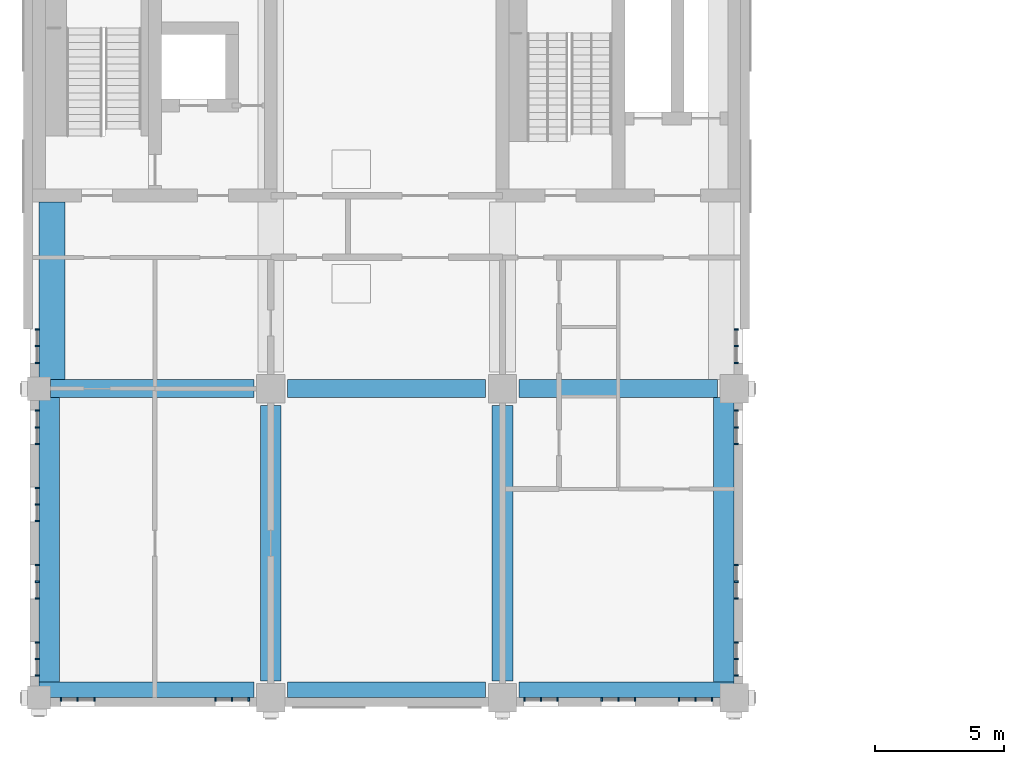
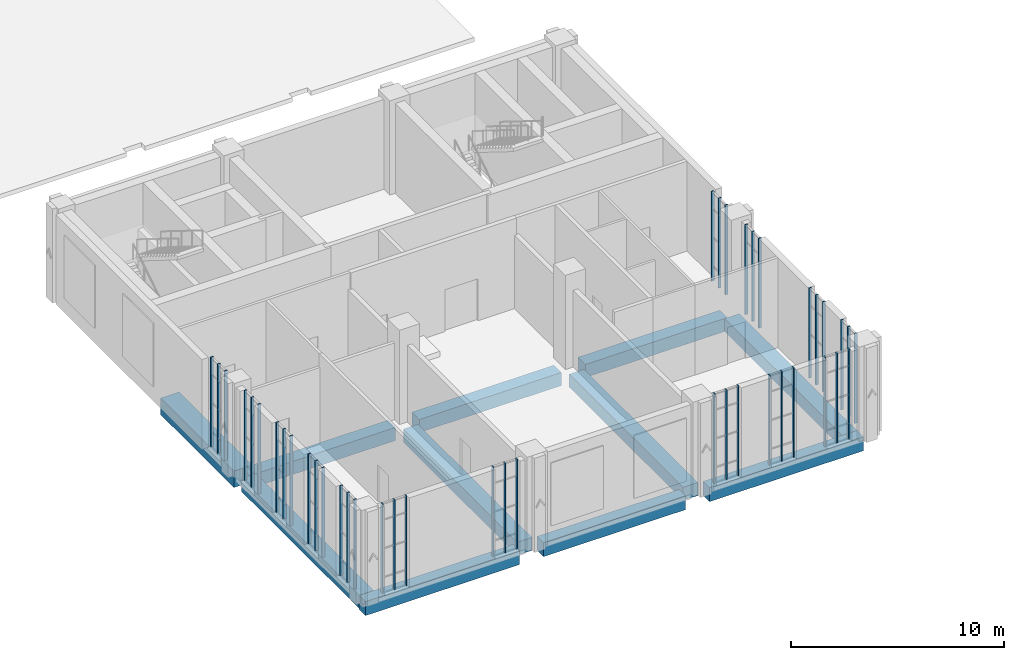
# One storey, part 2 of 33: 42 members, 11 beams, 14 elements without a shape of their own.
"""IFC4 building model written with IfcOpenShell, lengths in metres."""

from ifc_helpers import new_model, si_unit, direction, frame, origin, origin_2d, place, context, subcontext, project, spatial, rectangle, extrude, material, layer, layer_set, material_profile, profile_set, type_object, element, aggregate, save


model = new_model("IFC4")

# Units and contexts
model_context = context("Model", 3, precision=1e-05, world=origin(), true_north=direction((0.0, 1.0)))
body_context = subcontext(model_context, "Body", "Model", "MODEL_VIEW")
ifc_project = project(units=[si_unit("LENGTHUNIT", "METRE"), si_unit("AREAUNIT", "SQUARE_METRE"), si_unit("VOLUMEUNIT", "CUBIC_METRE"), si_unit("PLANEANGLEUNIT", "RADIAN"), si_unit("MASSUNIT", "GRAM", prefix="KILO")], contexts=[model_context])

# Site, building, storey
site_placement = place(None, origin())
site = spatial("IfcSite", under=ifc_project, at=site_placement, CompositionType="ELEMENT")
building_placement = place(site_placement, origin())
building = spatial("IfcBuilding", under=site, at=building_placement, Name="Aurelan Courthouse", CompositionType="ELEMENT")
storey_placement = place(building_placement, frame((0.0, 0.0, 22.800048828125)))
storey = spatial("IfcBuildingStorey", under=building, at=storey_placement, Name="L04", CompositionType="ELEMENT", Elevation=22.800048828125)

# Curtain wall, members
ifc_material_1 = material(Name="Bronze-finished aluminium and glass", Category="aluminium")
ifc_layer = layer(ifc_material_1, 0.14990234375)
ifc_layer_set = layer_set([ifc_layer], Name="Bronze-finished aluminium and glass")
curtain_wall_type = type_object("IfcCurtainWallType", Name="Curtain wall 1350 x 5150", PredefinedType="NOTDEFINED", material=ifc_layer_set)
curtain_wall_1_placement = place(storey_placement, origin())
curtain_wall_1 = element("IfcCurtainWall", 1, at=curtain_wall_1_placement, inside=storey, type_object=curtain_wall_type, Name="Curtain wall CW-V5-L04-S01", PredefinedType="NOTDEFINED")
ifc_material_2 = material(Name="Bronze-finished aluminium", Category="aluminium")
ifc_material_profile_1 = material_profile(ifc_material_2, rectangle(XDim=0.14990234375, YDim=0.06005859375, at=origin_2d()), Name="Bronze mullion 60 x 150")
ifc_profile_set_1 = profile_set([ifc_material_profile_1], Name="Bronze-finished aluminium")
member_type = type_object("IfcMemberType", Name="Curtain wall mullion 60 x 150", PredefinedType="MULLION", material=ifc_profile_set_1)
member_1_placement = place(storey_placement, frame((0.85498046875, -0.074951171875, 0.0), z_axis=(0.0, 0.0, 1.0), x_axis=(0.0, 1.0, 0.0)))
member_1 = element("IfcMember", 2, at=member_1_placement, type_object=member_type, Name="CW-V5-L04-S01 mullion 1", PredefinedType="MULLION", context=body_context, shape_type="SweptSolid", body=[
    extrude(rectangle(XDim=0.14990234375, YDim=0.06005859375, at=origin_2d()), origin(), (0.0, 0.0, 1.0), 5.14990234375),
])
member_2_placement = place(storey_placement, frame((1.5, -0.074951171875, 0.0), z_axis=(0.0, 0.0, 1.0), x_axis=(0.0, 1.0, 0.0)))
member_2 = element("IfcMember", 3, at=member_2_placement, type_object=member_type, Name="CW-V5-L04-S01 mullion 2", PredefinedType="MULLION", context=body_context, shape_type="SweptSolid", body=[
    extrude(rectangle(XDim=0.14990234375, YDim=0.06005859375, at=origin_2d()), origin(), (0.0, 0.0, 1.0), 5.14990234375),
])
member_3_placement = place(storey_placement, frame((2.14501953125, -0.074951171875, 0.0), z_axis=(0.0, 0.0, 1.0), x_axis=(0.0, 1.0, 0.0)))
member_3 = element("IfcMember", 4, at=member_3_placement, type_object=member_type, Name="CW-V5-L04-S01 mullion 3", PredefinedType="MULLION", context=body_context, shape_type="SweptSolid", body=[
    extrude(rectangle(XDim=0.14990234375, YDim=0.06005859375, at=origin_2d()), origin(), (0.0, 0.0, 1.0), 5.14990234375),
])
aggregate(curtain_wall_1, [member_1, member_2, member_3])

curtain_wall_2_placement = place(storey_placement, origin())
curtain_wall_2 = element("IfcCurtainWall", 5, at=curtain_wall_2_placement, inside=storey, type_object=curtain_wall_type, Name="Curtain wall CW-V5-L04-S02", PredefinedType="NOTDEFINED")
member_4_placement = place(storey_placement, frame((6.85498046875, -0.074951171875, 0.0), z_axis=(0.0, 0.0, 1.0), x_axis=(0.0, 1.0, 0.0)))
member_4 = element("IfcMember", 6, at=member_4_placement, type_object=member_type, Name="CW-V5-L04-S02 mullion 1", PredefinedType="MULLION", context=body_context, shape_type="SweptSolid", body=[
    extrude(rectangle(XDim=0.14990234375, YDim=0.06005859375, at=origin_2d()), origin(), (0.0, 0.0, 1.0), 5.14990234375),
])
member_5_placement = place(storey_placement, frame((7.5, -0.074951171875, 0.0), z_axis=(0.0, 0.0, 1.0), x_axis=(0.0, 1.0, 0.0)))
member_5 = element("IfcMember", 7, at=member_5_placement, type_object=member_type, Name="CW-V5-L04-S02 mullion 2", PredefinedType="MULLION", context=body_context, shape_type="SweptSolid", body=[
    extrude(rectangle(XDim=0.14990234375, YDim=0.06005859375, at=origin_2d()), origin(), (0.0, 0.0, 1.0), 5.14990234375),
])
member_6_placement = place(storey_placement, frame((8.14501953125, -0.074951171875, 0.0), z_axis=(0.0, 0.0, 1.0), x_axis=(0.0, 1.0, 0.0)))
member_6 = element("IfcMember", 8, at=member_6_placement, type_object=member_type, Name="CW-V5-L04-S02 mullion 3", PredefinedType="MULLION", context=body_context, shape_type="SweptSolid", body=[
    extrude(rectangle(XDim=0.14990234375, YDim=0.06005859375, at=origin_2d()), origin(), (0.0, 0.0, 1.0), 5.14990234375),
])
aggregate(curtain_wall_2, [member_4, member_5, member_6])

curtain_wall_3_placement = place(storey_placement, origin())
curtain_wall_3 = element("IfcCurtainWall", 9, at=curtain_wall_3_placement, inside=storey, type_object=curtain_wall_type, Name="Curtain wall CW-V5-L04-S03", PredefinedType="NOTDEFINED")
member_7_placement = place(storey_placement, frame((18.85498046875, -0.074951171875, 0.0), z_axis=(0.0, 0.0, 1.0), x_axis=(0.0, 1.0, 0.0)))
member_7 = element("IfcMember", 10, at=member_7_placement, type_object=member_type, Name="CW-V5-L04-S03 mullion 1", PredefinedType="MULLION", context=body_context, shape_type="SweptSolid", body=[
    extrude(rectangle(XDim=0.14990234375, YDim=0.06005859375, at=origin_2d()), origin(), (0.0, 0.0, 1.0), 5.14990234375),
])
member_8_placement = place(storey_placement, frame((19.5, -0.074951171875, 0.0), z_axis=(0.0, 0.0, 1.0), x_axis=(0.0, 1.0, 0.0)))
member_8 = element("IfcMember", 11, at=member_8_placement, type_object=member_type, Name="CW-V5-L04-S03 mullion 2", PredefinedType="MULLION", context=body_context, shape_type="SweptSolid", body=[
    extrude(rectangle(XDim=0.14990234375, YDim=0.06005859375, at=origin_2d()), origin(), (0.0, 0.0, 1.0), 5.14990234375),
])
member_9_placement = place(storey_placement, frame((20.14501953125, -0.074951171875, 0.0), z_axis=(0.0, 0.0, 1.0), x_axis=(0.0, 1.0, 0.0)))
member_9 = element("IfcMember", 12, at=member_9_placement, type_object=member_type, Name="CW-V5-L04-S03 mullion 3", PredefinedType="MULLION", context=body_context, shape_type="SweptSolid", body=[
    extrude(rectangle(XDim=0.14990234375, YDim=0.06005859375, at=origin_2d()), origin(), (0.0, 0.0, 1.0), 5.14990234375),
])
aggregate(curtain_wall_3, [member_7, member_8, member_9])

curtain_wall_4_placement = place(storey_placement, origin())
curtain_wall_4 = element("IfcCurtainWall", 13, at=curtain_wall_4_placement, inside=storey, type_object=curtain_wall_type, Name="Curtain wall CW-V5-L04-S04", PredefinedType="NOTDEFINED")
member_10_placement = place(storey_placement, frame((21.85498046875, -0.074951171875, 0.0), z_axis=(0.0, 0.0, 1.0), x_axis=(0.0, 1.0, 0.0)))
member_10 = element("IfcMember", 14, at=member_10_placement, type_object=member_type, Name="CW-V5-L04-S04 mullion 1", PredefinedType="MULLION", context=body_context, shape_type="SweptSolid", body=[
    extrude(rectangle(XDim=0.14990234375, YDim=0.06005859375, at=origin_2d()), origin(), (0.0, 0.0, 1.0), 5.14990234375),
])
member_11_placement = place(storey_placement, frame((22.5, -0.074951171875, 0.0), z_axis=(0.0, 0.0, 1.0), x_axis=(0.0, 1.0, 0.0)))
member_11 = element("IfcMember", 15, at=member_11_placement, type_object=member_type, Name="CW-V5-L04-S04 mullion 2", PredefinedType="MULLION", context=body_context, shape_type="SweptSolid", body=[
    extrude(rectangle(XDim=0.14990234375, YDim=0.06005859375, at=origin_2d()), origin(), (0.0, 0.0, 1.0), 5.14990234375),
])
member_12_placement = place(storey_placement, frame((23.14501953125, -0.074951171875, 0.0), z_axis=(0.0, 0.0, 1.0), x_axis=(0.0, 1.0, 0.0)))
member_12 = element("IfcMember", 16, at=member_12_placement, type_object=member_type, Name="CW-V5-L04-S04 mullion 3", PredefinedType="MULLION", context=body_context, shape_type="SweptSolid", body=[
    extrude(rectangle(XDim=0.14990234375, YDim=0.06005859375, at=origin_2d()), origin(), (0.0, 0.0, 1.0), 5.14990234375),
])
aggregate(curtain_wall_4, [member_10, member_11, member_12])

curtain_wall_5_placement = place(storey_placement, origin())
curtain_wall_5 = element("IfcCurtainWall", 17, at=curtain_wall_5_placement, inside=storey, type_object=curtain_wall_type, Name="Curtain wall CW-V5-L04-S05", PredefinedType="NOTDEFINED")
member_13_placement = place(storey_placement, frame((24.85498046875, -0.074951171875, 0.0), z_axis=(0.0, 0.0, 1.0), x_axis=(0.0, 1.0, 0.0)))
member_13 = element("IfcMember", 18, at=member_13_placement, type_object=member_type, Name="CW-V5-L04-S05 mullion 1", PredefinedType="MULLION", context=body_context, shape_type="SweptSolid", body=[
    extrude(rectangle(XDim=0.14990234375, YDim=0.06005859375, at=origin_2d()), origin(), (0.0, 0.0, 1.0), 5.14990234375),
])
member_14_placement = place(storey_placement, frame((25.5, -0.074951171875, 0.0), z_axis=(0.0, 0.0, 1.0), x_axis=(0.0, 1.0, 0.0)))
member_14 = element("IfcMember", 19, at=member_14_placement, type_object=member_type, Name="CW-V5-L04-S05 mullion 2", PredefinedType="MULLION", context=body_context, shape_type="SweptSolid", body=[
    extrude(rectangle(XDim=0.14990234375, YDim=0.06005859375, at=origin_2d()), origin(), (0.0, 0.0, 1.0), 5.14990234375),
])
member_15_placement = place(storey_placement, frame((26.14501953125, -0.074951171875, 0.0), z_axis=(0.0, 0.0, 1.0), x_axis=(0.0, 1.0, 0.0)))
member_15 = element("IfcMember", 20, at=member_15_placement, type_object=member_type, Name="CW-V5-L04-S05 mullion 3", PredefinedType="MULLION", context=body_context, shape_type="SweptSolid", body=[
    extrude(rectangle(XDim=0.14990234375, YDim=0.06005859375, at=origin_2d()), origin(), (0.0, 0.0, 1.0), 5.14990234375),
])
aggregate(curtain_wall_5, [member_13, member_14, member_15])

curtain_wall_6_placement = place(storey_placement, origin())
curtain_wall_6 = element("IfcCurtainWall", 21, at=curtain_wall_6_placement, inside=storey, type_object=curtain_wall_type, Name="Curtain wall CW-V5-L04-E01", PredefinedType="NOTDEFINED")
member_16_placement = place(storey_placement, frame((27.074951171875, 0.85498046875, 0.0), z_axis=(0.0, 0.0, 1.0), x_axis=(-1.0, 0.0, 0.0)))
member_16 = element("IfcMember", 22, at=member_16_placement, type_object=member_type, Name="CW-V5-L04-E01 mullion 1", PredefinedType="MULLION", context=body_context, shape_type="SweptSolid", body=[
    extrude(rectangle(XDim=0.14990234375, YDim=0.06005859375, at=origin_2d()), origin(), (0.0, 0.0, 1.0), 5.14990234375),
])
member_17_placement = place(storey_placement, frame((27.074951171875, 1.5, 0.0), z_axis=(0.0, 0.0, 1.0), x_axis=(-1.0, 0.0, 0.0)))
member_17 = element("IfcMember", 23, at=member_17_placement, type_object=member_type, Name="CW-V5-L04-E01 mullion 2", PredefinedType="MULLION", context=body_context, shape_type="SweptSolid", body=[
    extrude(rectangle(XDim=0.14990234375, YDim=0.06005859375, at=origin_2d()), origin(), (0.0, 0.0, 1.0), 5.14990234375),
])
member_18_placement = place(storey_placement, frame((27.074951171875, 2.14501953125, 0.0), z_axis=(0.0, 0.0, 1.0), x_axis=(-1.0, 0.0, 0.0)))
member_18 = element("IfcMember", 24, at=member_18_placement, type_object=member_type, Name="CW-V5-L04-E01 mullion 3", PredefinedType="MULLION", context=body_context, shape_type="SweptSolid", body=[
    extrude(rectangle(XDim=0.14990234375, YDim=0.06005859375, at=origin_2d()), origin(), (0.0, 0.0, 1.0), 5.14990234375),
])
aggregate(curtain_wall_6, [member_16, member_17, member_18])

curtain_wall_7_placement = place(storey_placement, origin())
curtain_wall_7 = element("IfcCurtainWall", 25, at=curtain_wall_7_placement, inside=storey, type_object=curtain_wall_type, Name="Curtain wall CW-V5-L04-E02", PredefinedType="NOTDEFINED")
member_19_placement = place(storey_placement, frame((27.074951171875, 3.85498046875, 0.0), z_axis=(0.0, 0.0, 1.0), x_axis=(-1.0, 0.0, 0.0)))
member_19 = element("IfcMember", 26, at=member_19_placement, type_object=member_type, Name="CW-V5-L04-E02 mullion 1", PredefinedType="MULLION", context=body_context, shape_type="SweptSolid", body=[
    extrude(rectangle(XDim=0.14990234375, YDim=0.06005859375, at=origin_2d()), origin(), (0.0, 0.0, 1.0), 5.14990234375),
])
member_20_placement = place(storey_placement, frame((27.074951171875, 4.5, 0.0), z_axis=(0.0, 0.0, 1.0), x_axis=(-1.0, 0.0, 0.0)))
member_20 = element("IfcMember", 27, at=member_20_placement, type_object=member_type, Name="CW-V5-L04-E02 mullion 2", PredefinedType="MULLION", context=body_context, shape_type="SweptSolid", body=[
    extrude(rectangle(XDim=0.14990234375, YDim=0.06005859375, at=origin_2d()), origin(), (0.0, 0.0, 1.0), 5.14990234375),
])
member_21_placement = place(storey_placement, frame((27.074951171875, 5.14501953125, 0.0), z_axis=(0.0, 0.0, 1.0), x_axis=(-1.0, 0.0, 0.0)))
member_21 = element("IfcMember", 28, at=member_21_placement, type_object=member_type, Name="CW-V5-L04-E02 mullion 3", PredefinedType="MULLION", context=body_context, shape_type="SweptSolid", body=[
    extrude(rectangle(XDim=0.14990234375, YDim=0.06005859375, at=origin_2d()), origin(), (0.0, 0.0, 1.0), 5.14990234375),
])
aggregate(curtain_wall_7, [member_19, member_20, member_21])

curtain_wall_8_placement = place(storey_placement, origin())
curtain_wall_8 = element("IfcCurtainWall", 29, at=curtain_wall_8_placement, inside=storey, type_object=curtain_wall_type, Name="Curtain wall CW-V5-L04-E03", PredefinedType="NOTDEFINED")
member_22_placement = place(storey_placement, frame((27.074951171875, 9.85498046875, 0.0), z_axis=(0.0, 0.0, 1.0), x_axis=(-1.0, 0.0, 0.0)))
member_22 = element("IfcMember", 30, at=member_22_placement, type_object=member_type, Name="CW-V5-L04-E03 mullion 1", PredefinedType="MULLION", context=body_context, shape_type="SweptSolid", body=[
    extrude(rectangle(XDim=0.14990234375, YDim=0.06005859375, at=origin_2d()), origin(), (0.0, 0.0, 1.0), 5.14990234375),
])
member_23_placement = place(storey_placement, frame((27.074951171875, 10.5, 0.0), z_axis=(0.0, 0.0, 1.0), x_axis=(-1.0, 0.0, 0.0)))
member_23 = element("IfcMember", 31, at=member_23_placement, type_object=member_type, Name="CW-V5-L04-E03 mullion 2", PredefinedType="MULLION", context=body_context, shape_type="SweptSolid", body=[
    extrude(rectangle(XDim=0.14990234375, YDim=0.06005859375, at=origin_2d()), origin(), (0.0, 0.0, 1.0), 5.14990234375),
])
member_24_placement = place(storey_placement, frame((27.074951171875, 11.14501953125, 0.0), z_axis=(0.0, 0.0, 1.0), x_axis=(-1.0, 0.0, 0.0)))
member_24 = element("IfcMember", 32, at=member_24_placement, type_object=member_type, Name="CW-V5-L04-E03 mullion 3", PredefinedType="MULLION", context=body_context, shape_type="SweptSolid", body=[
    extrude(rectangle(XDim=0.14990234375, YDim=0.06005859375, at=origin_2d()), origin(), (0.0, 0.0, 1.0), 5.14990234375),
])
aggregate(curtain_wall_8, [member_22, member_23, member_24])

curtain_wall_9_placement = place(storey_placement, origin())
curtain_wall_9 = element("IfcCurtainWall", 33, at=curtain_wall_9_placement, inside=storey, type_object=curtain_wall_type, Name="Curtain wall CW-V5-L04-E04", PredefinedType="NOTDEFINED")
member_25_placement = place(storey_placement, frame((27.074951171875, 13.0048828125, 0.0), z_axis=(0.0, 0.0, 1.0), x_axis=(-1.0, 0.0, 0.0)))
member_25 = element("IfcMember", 34, at=member_25_placement, type_object=member_type, Name="CW-V5-L04-E04 mullion 1", PredefinedType="MULLION", context=body_context, shape_type="SweptSolid", body=[
    extrude(rectangle(XDim=0.14990234375, YDim=0.06005859375, at=origin_2d()), origin(), (0.0, 0.0, 1.0), 5.14990234375),
])
member_26_placement = place(storey_placement, frame((27.074951171875, 13.64990234375, 0.0), z_axis=(0.0, 0.0, 1.0), x_axis=(-1.0, 0.0, 0.0)))
member_26 = element("IfcMember", 35, at=member_26_placement, type_object=member_type, Name="CW-V5-L04-E04 mullion 2", PredefinedType="MULLION", context=body_context, shape_type="SweptSolid", body=[
    extrude(rectangle(XDim=0.14990234375, YDim=0.06005859375, at=origin_2d()), origin(), (0.0, 0.0, 1.0), 5.14990234375),
])
member_27_placement = place(storey_placement, frame((27.074951171875, 14.294921875, 0.0), z_axis=(0.0, 0.0, 1.0), x_axis=(-1.0, 0.0, 0.0)))
member_27 = element("IfcMember", 36, at=member_27_placement, type_object=member_type, Name="CW-V5-L04-E04 mullion 3", PredefinedType="MULLION", context=body_context, shape_type="SweptSolid", body=[
    extrude(rectangle(XDim=0.14990234375, YDim=0.06005859375, at=origin_2d()), origin(), (0.0, 0.0, 1.0), 5.14990234375),
])
aggregate(curtain_wall_9, [member_25, member_26, member_27])

curtain_wall_10_placement = place(storey_placement, origin())
curtain_wall_10 = element("IfcCurtainWall", 37, at=curtain_wall_10_placement, inside=storey, type_object=curtain_wall_type, Name="Curtain wall CW-V5-L04-W01", PredefinedType="NOTDEFINED")
member_28_placement = place(storey_placement, frame((-0.074951171875, 0.85498046875, 0.0), z_axis=(0.0, 0.0, 1.0), x_axis=(-1.0, 0.0, 0.0)))
member_28 = element("IfcMember", 38, at=member_28_placement, type_object=member_type, Name="CW-V5-L04-W01 mullion 1", PredefinedType="MULLION", context=body_context, shape_type="SweptSolid", body=[
    extrude(rectangle(XDim=0.14990234375, YDim=0.06005859375, at=origin_2d()), origin(), (0.0, 0.0, 1.0), 5.14990234375),
])
member_29_placement = place(storey_placement, frame((-0.074951171875, 1.5, 0.0), z_axis=(0.0, 0.0, 1.0), x_axis=(-1.0, 0.0, 0.0)))
member_29 = element("IfcMember", 39, at=member_29_placement, type_object=member_type, Name="CW-V5-L04-W01 mullion 2", PredefinedType="MULLION", context=body_context, shape_type="SweptSolid", body=[
    extrude(rectangle(XDim=0.14990234375, YDim=0.06005859375, at=origin_2d()), origin(), (0.0, 0.0, 1.0), 5.14990234375),
])
member_30_placement = place(storey_placement, frame((-0.074951171875, 2.14501953125, 0.0), z_axis=(0.0, 0.0, 1.0), x_axis=(-1.0, 0.0, 0.0)))
member_30 = element("IfcMember", 40, at=member_30_placement, type_object=member_type, Name="CW-V5-L04-W01 mullion 3", PredefinedType="MULLION", context=body_context, shape_type="SweptSolid", body=[
    extrude(rectangle(XDim=0.14990234375, YDim=0.06005859375, at=origin_2d()), origin(), (0.0, 0.0, 1.0), 5.14990234375),
])
aggregate(curtain_wall_10, [member_28, member_29, member_30])

curtain_wall_11_placement = place(storey_placement, origin())
curtain_wall_11 = element("IfcCurtainWall", 41, at=curtain_wall_11_placement, inside=storey, type_object=curtain_wall_type, Name="Curtain wall CW-V5-L04-W02", PredefinedType="NOTDEFINED")
member_31_placement = place(storey_placement, frame((-0.074951171875, 3.85498046875, 0.0), z_axis=(0.0, 0.0, 1.0), x_axis=(-1.0, 0.0, 0.0)))
member_31 = element("IfcMember", 42, at=member_31_placement, type_object=member_type, Name="CW-V5-L04-W02 mullion 1", PredefinedType="MULLION", context=body_context, shape_type="SweptSolid", body=[
    extrude(rectangle(XDim=0.14990234375, YDim=0.06005859375, at=origin_2d()), origin(), (0.0, 0.0, 1.0), 5.14990234375),
])
member_32_placement = place(storey_placement, frame((-0.074951171875, 4.5, 0.0), z_axis=(0.0, 0.0, 1.0), x_axis=(-1.0, 0.0, 0.0)))
member_32 = element("IfcMember", 43, at=member_32_placement, type_object=member_type, Name="CW-V5-L04-W02 mullion 2", PredefinedType="MULLION", context=body_context, shape_type="SweptSolid", body=[
    extrude(rectangle(XDim=0.14990234375, YDim=0.06005859375, at=origin_2d()), origin(), (0.0, 0.0, 1.0), 5.14990234375),
])
member_33_placement = place(storey_placement, frame((-0.074951171875, 5.14501953125, 0.0), z_axis=(0.0, 0.0, 1.0), x_axis=(-1.0, 0.0, 0.0)))
member_33 = element("IfcMember", 44, at=member_33_placement, type_object=member_type, Name="CW-V5-L04-W02 mullion 3", PredefinedType="MULLION", context=body_context, shape_type="SweptSolid", body=[
    extrude(rectangle(XDim=0.14990234375, YDim=0.06005859375, at=origin_2d()), origin(), (0.0, 0.0, 1.0), 5.14990234375),
])
aggregate(curtain_wall_11, [member_31, member_32, member_33])

curtain_wall_12_placement = place(storey_placement, origin())
curtain_wall_12 = element("IfcCurtainWall", 45, at=curtain_wall_12_placement, inside=storey, type_object=curtain_wall_type, Name="Curtain wall CW-V5-L04-W03", PredefinedType="NOTDEFINED")
member_34_placement = place(storey_placement, frame((-0.074951171875, 6.85498046875, 0.0), z_axis=(0.0, 0.0, 1.0), x_axis=(-1.0, 0.0, 0.0)))
member_34 = element("IfcMember", 46, at=member_34_placement, type_object=member_type, Name="CW-V5-L04-W03 mullion 1", PredefinedType="MULLION", context=body_context, shape_type="SweptSolid", body=[
    extrude(rectangle(XDim=0.14990234375, YDim=0.06005859375, at=origin_2d()), origin(), (0.0, 0.0, 1.0), 5.14990234375),
])
member_35_placement = place(storey_placement, frame((-0.074951171875, 7.5, 0.0), z_axis=(0.0, 0.0, 1.0), x_axis=(-1.0, 0.0, 0.0)))
member_35 = element("IfcMember", 47, at=member_35_placement, type_object=member_type, Name="CW-V5-L04-W03 mullion 2", PredefinedType="MULLION", context=body_context, shape_type="SweptSolid", body=[
    extrude(rectangle(XDim=0.14990234375, YDim=0.06005859375, at=origin_2d()), origin(), (0.0, 0.0, 1.0), 5.14990234375),
])
member_36_placement = place(storey_placement, frame((-0.074951171875, 8.14501953125, 0.0), z_axis=(0.0, 0.0, 1.0), x_axis=(-1.0, 0.0, 0.0)))
member_36 = element("IfcMember", 48, at=member_36_placement, type_object=member_type, Name="CW-V5-L04-W03 mullion 3", PredefinedType="MULLION", context=body_context, shape_type="SweptSolid", body=[
    extrude(rectangle(XDim=0.14990234375, YDim=0.06005859375, at=origin_2d()), origin(), (0.0, 0.0, 1.0), 5.14990234375),
])
aggregate(curtain_wall_12, [member_34, member_35, member_36])

curtain_wall_13_placement = place(storey_placement, origin())
curtain_wall_13 = element("IfcCurtainWall", 49, at=curtain_wall_13_placement, inside=storey, type_object=curtain_wall_type, Name="Curtain wall CW-V5-L04-W04", PredefinedType="NOTDEFINED")
member_37_placement = place(storey_placement, frame((-0.074951171875, 9.85498046875, 0.0), z_axis=(0.0, 0.0, 1.0), x_axis=(-1.0, 0.0, 0.0)))
member_37 = element("IfcMember", 50, at=member_37_placement, type_object=member_type, Name="CW-V5-L04-W04 mullion 1", PredefinedType="MULLION", context=body_context, shape_type="SweptSolid", body=[
    extrude(rectangle(XDim=0.14990234375, YDim=0.06005859375, at=origin_2d()), origin(), (0.0, 0.0, 1.0), 5.14990234375),
])
member_38_placement = place(storey_placement, frame((-0.074951171875, 10.5, 0.0), z_axis=(0.0, 0.0, 1.0), x_axis=(-1.0, 0.0, 0.0)))
member_38 = element("IfcMember", 51, at=member_38_placement, type_object=member_type, Name="CW-V5-L04-W04 mullion 2", PredefinedType="MULLION", context=body_context, shape_type="SweptSolid", body=[
    extrude(rectangle(XDim=0.14990234375, YDim=0.06005859375, at=origin_2d()), origin(), (0.0, 0.0, 1.0), 5.14990234375),
])
member_39_placement = place(storey_placement, frame((-0.074951171875, 11.14501953125, 0.0), z_axis=(0.0, 0.0, 1.0), x_axis=(-1.0, 0.0, 0.0)))
member_39 = element("IfcMember", 52, at=member_39_placement, type_object=member_type, Name="CW-V5-L04-W04 mullion 3", PredefinedType="MULLION", context=body_context, shape_type="SweptSolid", body=[
    extrude(rectangle(XDim=0.14990234375, YDim=0.06005859375, at=origin_2d()), origin(), (0.0, 0.0, 1.0), 5.14990234375),
])
aggregate(curtain_wall_13, [member_37, member_38, member_39])

curtain_wall_14_placement = place(storey_placement, origin())
curtain_wall_14 = element("IfcCurtainWall", 53, at=curtain_wall_14_placement, inside=storey, type_object=curtain_wall_type, Name="Curtain wall CW-V5-L04-W05", PredefinedType="NOTDEFINED")
member_40_placement = place(storey_placement, frame((-0.074951171875, 13.0048828125, 0.0), z_axis=(0.0, 0.0, 1.0), x_axis=(-1.0, 0.0, 0.0)))
member_40 = element("IfcMember", 54, at=member_40_placement, type_object=member_type, Name="CW-V5-L04-W05 mullion 1", PredefinedType="MULLION", context=body_context, shape_type="SweptSolid", body=[
    extrude(rectangle(XDim=0.14990234375, YDim=0.06005859375, at=origin_2d()), origin(), (0.0, 0.0, 1.0), 5.14990234375),
])
member_41_placement = place(storey_placement, frame((-0.074951171875, 13.64990234375, 0.0), z_axis=(0.0, 0.0, 1.0), x_axis=(-1.0, 0.0, 0.0)))
member_41 = element("IfcMember", 55, at=member_41_placement, type_object=member_type, Name="CW-V5-L04-W05 mullion 2", PredefinedType="MULLION", context=body_context, shape_type="SweptSolid", body=[
    extrude(rectangle(XDim=0.14990234375, YDim=0.06005859375, at=origin_2d()), origin(), (0.0, 0.0, 1.0), 5.14990234375),
])
member_42_placement = place(storey_placement, frame((-0.074951171875, 14.294921875, 0.0), z_axis=(0.0, 0.0, 1.0), x_axis=(-1.0, 0.0, 0.0)))
member_42 = element("IfcMember", 56, at=member_42_placement, type_object=member_type, Name="CW-V5-L04-W05 mullion 3", PredefinedType="MULLION", context=body_context, shape_type="SweptSolid", body=[
    extrude(rectangle(XDim=0.14990234375, YDim=0.06005859375, at=origin_2d()), origin(), (0.0, 0.0, 1.0), 5.14990234375),
])
aggregate(curtain_wall_14, [member_40, member_41, member_42])

# Beams
ifc_material_3 = material(Name="Concrete C50", Category="concrete")
ifc_material_profile_2 = material_profile(ifc_material_3, rectangle(XDim=0.699951171875, YDim=0.75, at=origin_2d()), Name="RC 700 x 750")
ifc_profile_set_2 = profile_set([ifc_material_profile_2], Name="Concrete C50")
beam_type_1 = type_object("IfcBeamType", Name="PT beam 700 x 750", PredefinedType="BEAM", material=ifc_profile_set_2)
beam_1_placement = place(storey_placement, frame((0.449951171875, 12.0, -0.625), z_axis=(1.0, 0.0, 0.0), x_axis=(0.0, 1.0, 0.0)))
element("IfcBeam", 57, at=beam_1_placement, inside=storey, type_object=beam_type_1, Name="Beam EB-B-1-2", PredefinedType="BEAM", context=body_context, shape_type="SweptSolid", body=[
    extrude(rectangle(XDim=0.699951171875, YDim=0.75, at=origin_2d()), origin(), (0.0, 0.0, 1.0), 7.900146484375),
])
for number, where, z_axis, x_axis, name in (
    (58, (9.64990234375, 12.0, -0.625), (1.0, 0.0, 0.0), (0.0, 1.0, 0.0), "Beam EB-B-2-3"),
    (59, (18.64990234375, 12.0, -0.625), (1.0, 0.0, 0.0), (0.0, 1.0, 0.0), "Beam EB-B-3-4"),
):
    element("IfcBeam", number, at=place(storey_placement, frame(where, z_axis=z_axis, x_axis=x_axis)), inside=storey, type_object=beam_type_1, Name=name, PredefinedType="BEAM", context=body_context, shape_type="SweptSolid", body=[
        extrude(rectangle(XDim=0.699951171875, YDim=0.75, at=origin_2d()), origin(), (0.0, 0.0, 1.0), 7.7001953125),
    ])
ifc_material_profile_3 = material_profile(ifc_material_3, rectangle(XDim=1.0, YDim=0.949951171875, at=origin_2d()), Name="RC 1000 x 950")
ifc_profile_set_3 = profile_set([ifc_material_profile_3], Name="Concrete C50")
beam_type_2 = type_object("IfcBeamType", Name="PT girder 1000 x 950", PredefinedType="BEAM", material=ifc_profile_set_3)
beam_2_placement = place(storey_placement, frame((0.5, 12.35009765625, -0.72509765625), z_axis=(0.0, 1.0, 0.0), x_axis=(-1.0, 0.0, 0.0)))
element("IfcBeam", 60, at=beam_2_placement, inside=storey, type_object=beam_type_2, Name="Girder GB-1BC-E", PredefinedType="BEAM", context=body_context, shape_type="SweptSolid", body=[
    extrude(rectangle(XDim=1.0, YDim=0.949951171875, at=origin_2d()), origin(), (0.0, 0.0, 1.0), 6.89990234375),
])
ifc_material_profile_4 = material_profile(ifc_material_3, rectangle(XDim=0.800048828125, YDim=0.75, at=origin_2d()), Name="RC 800 x 750")
ifc_profile_set_4 = profile_set([ifc_material_profile_4], Name="Concrete C50")
beam_type_3 = type_object("IfcBeamType", Name="PT girder 800 x 750", PredefinedType="BEAM", material=ifc_profile_set_4)
beam_3_placement = place(storey_placement, frame((0.39990234375, 0.60009765625, -0.625), z_axis=(0.0, 1.0, 0.0), x_axis=(-1.0, 0.0, 0.0)))
element("IfcBeam", 61, at=beam_3_placement, inside=storey, type_object=beam_type_3, Name="Girder GB-1AB-E", PredefinedType="BEAM", context=body_context, shape_type="SweptSolid", body=[
    extrude(rectangle(XDim=0.800048828125, YDim=0.75, at=origin_2d()), origin(), (0.0, 0.0, 1.0), 11.0498046875),
])
for number, where, z_axis, x_axis, name in (
    (62, (9.0, 0.64990234375, -0.625), (0.0, 1.0, 0.0), (-1.0, 0.0, 0.0), "Girder GB-2AB"),
    (63, (18.0, 0.64990234375, -0.625), (0.0, 1.0, 0.0), (-1.0, 0.0, 0.0), "Girder GB-3AB"),
):
    element("IfcBeam", number, at=place(storey_placement, frame(where, z_axis=z_axis, x_axis=x_axis)), inside=storey, type_object=beam_type_3, Name=name, PredefinedType="BEAM", context=body_context, shape_type="SweptSolid", body=[
        extrude(rectangle(XDim=0.800048828125, YDim=0.75, at=origin_2d()), origin(), (0.0, 0.0, 1.0), 10.7001953125),
    ])
beam_4_placement = place(storey_placement, frame((26.60009765625, 0.60009765625, -0.625), z_axis=(0.0, 1.0, 0.0), x_axis=(-1.0, 0.0, 0.0)))
element("IfcBeam", 64, at=beam_4_placement, inside=storey, type_object=beam_type_3, Name="Girder GB-4AB-E", PredefinedType="BEAM", context=body_context, shape_type="SweptSolid", body=[
    extrude(rectangle(XDim=0.800048828125, YDim=0.75, at=origin_2d()), origin(), (0.0, 0.0, 1.0), 11.0498046875),
])
ifc_material_profile_5 = material_profile(ifc_material_3, rectangle(XDim=0.60009765625, YDim=0.800048828125, at=origin_2d()), Name="RC 600 x 800")
ifc_profile_set_5 = profile_set([ifc_material_profile_5], Name="Concrete C50")
beam_type_4 = type_object("IfcBeamType", Name="RC spandrel beam 600 x 800", PredefinedType="SPANDREL", material=ifc_profile_set_5)
beam_5_placement = place(storey_placement, frame((0.0, 0.300048828125, -0.650146484375), z_axis=(1.0, 0.0, 0.0), x_axis=(0.0, 1.0, 0.0)))
element("IfcBeam", 65, at=beam_5_placement, inside=storey, type_object=beam_type_4, Name="Spandrel beam SB-A-1-2", PredefinedType="SPANDREL", context=body_context, shape_type="SweptSolid", body=[
    extrude(rectangle(XDim=0.60009765625, YDim=0.800048828125, at=origin_2d()), origin(), (0.0, 0.0, 1.0), 8.35009765625),
])
beam_6_placement = place(storey_placement, frame((9.64990234375, 0.300048828125, -0.650146484375), z_axis=(1.0, 0.0, 0.0), x_axis=(0.0, 1.0, 0.0)))
element("IfcBeam", 66, at=beam_6_placement, inside=storey, type_object=beam_type_4, Name="Spandrel beam SB-A-2-3", PredefinedType="SPANDREL", context=body_context, shape_type="SweptSolid", body=[
    extrude(rectangle(XDim=0.60009765625, YDim=0.800048828125, at=origin_2d()), origin(), (0.0, 0.0, 1.0), 7.7001953125),
])
beam_7_placement = place(storey_placement, frame((18.64990234375, 0.300048828125, -0.650146484375), z_axis=(1.0, 0.0, 0.0), x_axis=(0.0, 1.0, 0.0)))
element("IfcBeam", 67, at=beam_7_placement, inside=storey, type_object=beam_type_4, Name="Spandrel beam SB-A-3-4", PredefinedType="SPANDREL", context=body_context, shape_type="SweptSolid", body=[
    extrude(rectangle(XDim=0.60009765625, YDim=0.800048828125, at=origin_2d()), origin(), (0.0, 0.0, 1.0), 8.35009765625),
])

save(model, "model.ifc")
